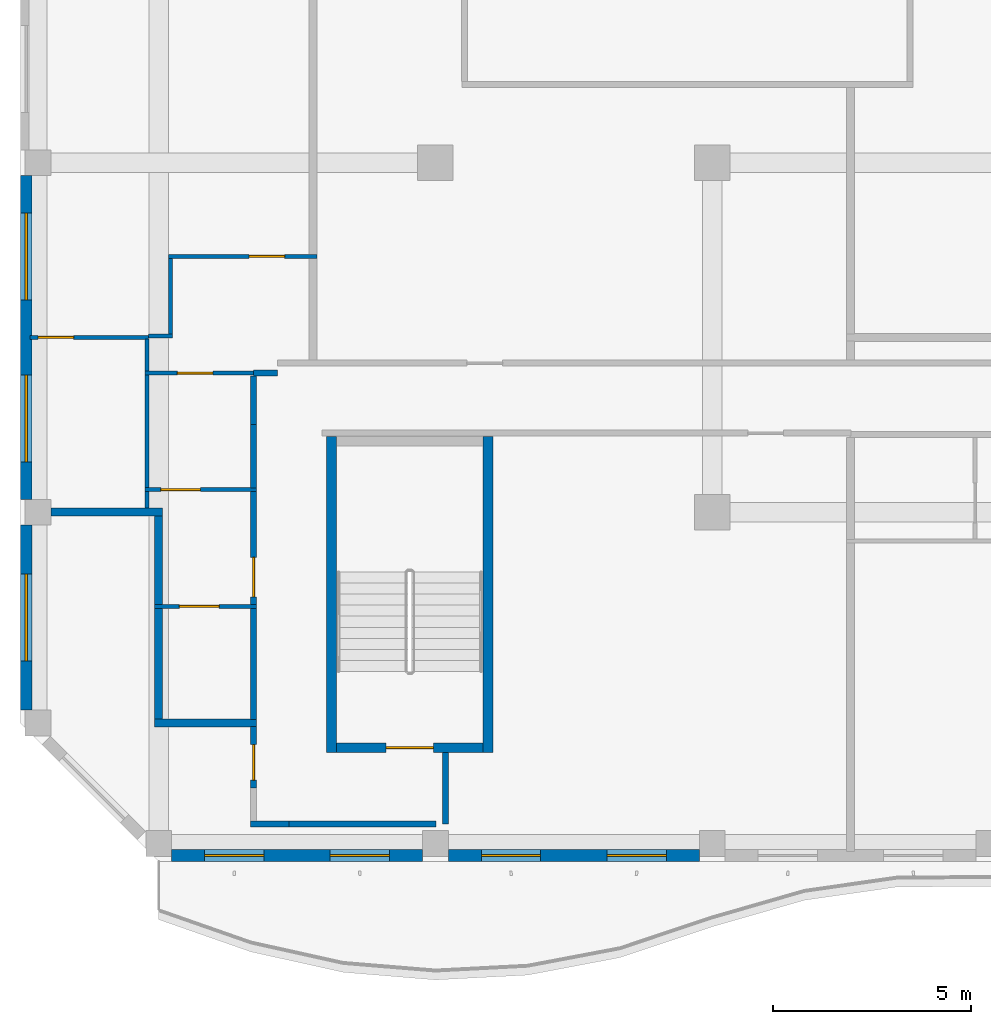
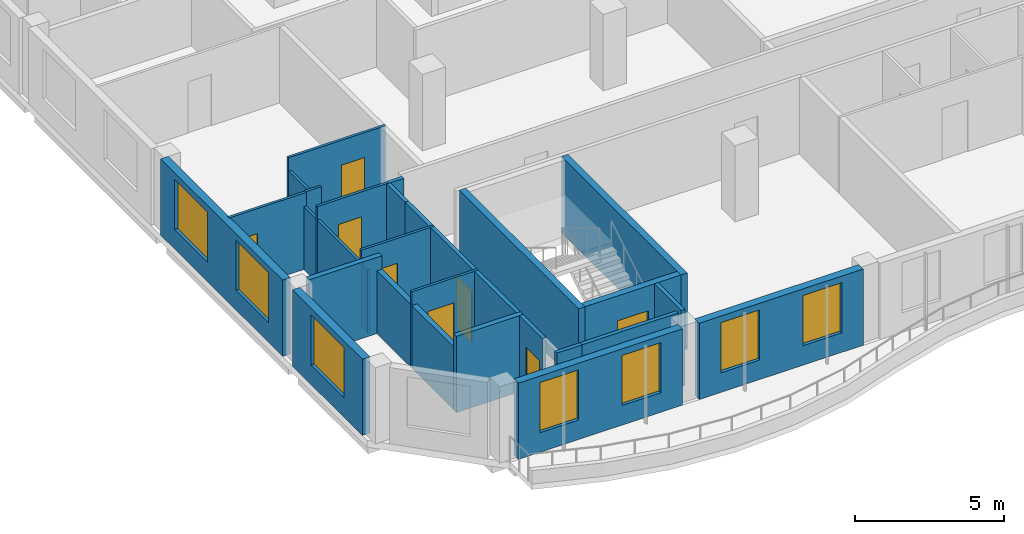
# One storey, part 2 of 18: 30 walls, 8 doors, 7 windows, 15 openings.
"""IFC4 building model written with IfcOpenShell, lengths in metres."""

from ifc_helpers import new_model, si_unit, direction, frame, frame_2d, origin, place, context, subcontext, project, spatial, rectangle, extrude, source, transform, mapped, material, layer, layer_set, type_object, element, fill, save


model = new_model("IFC4")

# Units and contexts
model_context = context("Model", 3, precision=1e-05, world=origin(), true_north=direction((0.0, 1.0)))
body_context = subcontext(model_context, "Body", "Model", "MODEL_VIEW")
ifc_project = project(units=[si_unit("LENGTHUNIT", "METRE"), si_unit("AREAUNIT", "SQUARE_METRE"), si_unit("VOLUMEUNIT", "CUBIC_METRE"), si_unit("PLANEANGLEUNIT", "RADIAN"), si_unit("MASSUNIT", "GRAM", prefix="KILO")], contexts=[model_context])

# Site, building, storey
site_placement = place(None, origin())
site = spatial("IfcSite", under=ifc_project, at=site_placement, CompositionType="ELEMENT")
building_placement = place(site_placement, origin())
building = spatial("IfcBuilding", under=site, at=building_placement, Name="Kilnfold Tower and Market Hall", CompositionType="ELEMENT")
storey_placement = place(building_placement, frame((0.0, 0.0, 270.39990234375)))
storey = spatial("IfcBuildingStorey", under=building, at=storey_placement, Name="L66", CompositionType="ELEMENT", Elevation=270.39990234375)

# Wall
ifc_material_1 = material(Name="Gypsum board on steel studs", Category="steel")
ifc_layer_1 = layer(ifc_material_1, 0.14990234375)
ifc_layer_set_1 = layer_set([ifc_layer_1], Name="Gypsum board on steel studs")
wall_type_1 = type_object("IfcWallType", Name="WALL CORRIDOR 150", PredefinedType="PARTITIONING", material=ifc_layer_set_1)
wall_1_placement = place(storey_placement, frame((-19.60009765625, -14.909912109375, 0.0), z_axis=(0.0, 0.0, 1.0), x_axis=(0.0, 1.0, 0.0)))
element("IfcWall", 1, at=wall_1_placement, inside=storey, type_object=wall_type_1, Name="Partition LY41.1", PredefinedType="PARTITIONING", context=body_context, shape_type="SweptSolid", body=[
    extrude(rectangle(XDim=2.81982421875, YDim=0.14990234375, at=frame_2d((1.409912109375, 0.0))), origin(), (0.0, 0.0, 1.0), 3.1201171875),
])

# Wall, opening, door
wall_2_placement = place(storey_placement, frame((-19.60009765625, -12.010009765625, 0.0), z_axis=(0.0, 0.0, 1.0), x_axis=(0.0, 1.0, 0.0)))
wall_2 = element("IfcWall", 2, at=wall_2_placement, inside=storey, type_object=wall_type_1, Name="Partition LY41.2", PredefinedType="PARTITIONING", context=body_context, shape_type="SweptSolid", body=[
    extrude(rectangle(XDim=2.8701171875, YDim=0.14990234375, at=frame_2d((1.43505859375, 0.0))), origin(), (0.0, 0.0, 1.0), 3.1201171875),
])
opening_1_placement = place(wall_2_placement, frame((0.199951171875, 0.0, 0.0)))
opening_1 = element("IfcOpeningElement", 3, at=opening_1_placement, cuts=wall_2, Name="Opening D1", PredefinedType="OPENING", context=body_context, shape_type="SweptSolid", body=[
    extrude(rectangle(XDim=1.0, YDim=2.10009765625, at=frame_2d((0.5, 1.050048828125))), frame((0.0, 0.0849609375, 0.0), z_axis=(0.0, -1.0, 0.0), x_axis=(1.0, 0.0, 0.0)), (0.0, 0.0, 1.0), 0.169921875),
])
ifc_material_2 = material(Name="Timber veneer door leaf in steel frame", Category="steel")
door_type_1 = type_object("IfcDoorType", Name="DOOR ENTRY 1000 X2100", OperationType="NOTDEFINED", PredefinedType="DOOR", material=ifc_material_2)
door_1_placement = place(opening_1_placement, origin())
door_1 = element("IfcDoor", 4, at=door_1_placement, inside=storey, type_object=door_type_1, Name="Door D1", OperationType="SINGLE_SWING_LEFT", OverallHeight=2.10009765625, OverallWidth=1.0, PredefinedType="DOOR", context=body_context, shape_type="SweptSolid", body=[
    extrude(rectangle(XDim=1.0, YDim=2.10009765625, at=frame_2d((0.5, 1.050048828125))), frame((0.0, 0.02490234375, 0.0), z_axis=(0.0, -1.0, 0.0), x_axis=(1.0, 0.0, 0.0)), (0.0, 0.0, 1.0), 0.050048828125),
])
fill(opening_1, door_1)

# Walls
wall_3_placement = place(storey_placement, frame((-19.60009765625, -9.06005859375, 0.0), z_axis=(0.0, 0.0, 1.0), x_axis=(0.0, 1.0, 0.0)))
element("IfcWall", 5, at=wall_3_placement, inside=storey, type_object=wall_type_1, Name="Partition LY41.3", PredefinedType="PARTITIONING", context=body_context, shape_type="SweptSolid", body=[
    extrude(rectangle(XDim=1.608154296875, YDim=0.14990234375, at=frame_2d((0.80419921875, 0.0))), origin(), (0.0, 0.0, 1.0), 3.1201171875),
])
wall_4_placement = place(storey_placement, frame((-19.60205078125, -7.451904296875, 0.0), z_axis=(0.0, 0.0, 1.0), x_axis=(0.0, 1.0, 0.0)))
element("IfcWall", 6, at=wall_4_placement, inside=storey, type_object=wall_type_1, Name="Partition LY41.4", PredefinedType="PARTITIONING", context=body_context, shape_type="SweptSolid", body=[
    extrude(rectangle(XDim=1.22900390625, YDim=0.14990234375, at=frame_2d((0.614501953125, 0.0))), origin(), (0.0, 0.0, 1.0), 3.1201171875),
])
wall_5_placement = place(storey_placement, frame((-19.0, -6.14794921875, 0.0), z_axis=(0.0, 0.0, 1.0), x_axis=(-1.0, 0.0, 0.0)))
element("IfcWall", 7, at=wall_5_placement, inside=storey, type_object=wall_type_1, Name="Partition LY41.5", PredefinedType="PARTITIONING", context=body_context, shape_type="SweptSolid", body=[
    extrude(rectangle(XDim=0.60205078125, YDim=0.14990234375, at=frame_2d((0.301025390625, 0.0))), origin(), (0.0, 0.0, 1.0), 3.1201171875),
])
wall_6_placement = place(storey_placement, frame((-14.75, -17.550048828125, 0.0), z_axis=(0.0, 0.0, 1.0), x_axis=(0.0, 1.0, 0.0)))
element("IfcWall", 8, at=wall_6_placement, inside=storey, type_object=wall_type_1, Name="Partition LY41.10", PredefinedType="PARTITIONING", context=body_context, shape_type="SweptSolid", body=[
    extrude(rectangle(XDim=1.800048828125, YDim=0.14990234375, at=frame_2d((0.89990234375, 0.0))), origin(), (0.0, 0.0, 1.0), 3.1201171875),
])

# Wall, opening, door
wall_7_placement = place(storey_placement, frame((-19.60009765625, -16.64794921875, 0.0), z_axis=(0.0, 0.0, 1.0), x_axis=(0.0, 1.0, 0.0)))
wall_7 = element("IfcWall", 9, at=wall_7_placement, inside=storey, type_object=wall_type_1, Name="Partition LY41.11", PredefinedType="PARTITIONING", context=body_context, shape_type="SweptSolid", body=[
    extrude(rectangle(XDim=1.557861328125, YDim=0.14990234375, at=frame_2d((0.77880859375, 0.0))), origin(), (0.0, 0.0, 1.0), 3.1201171875),
])
opening_2_placement = place(wall_7_placement, frame((0.199951171875, 0.0, 0.0)))
opening_2 = element("IfcOpeningElement", 10, at=opening_2_placement, cuts=wall_7, Name="Opening D2", PredefinedType="OPENING", context=body_context, shape_type="SweptSolid", body=[
    extrude(rectangle(XDim=0.89990234375, YDim=2.10009765625, at=frame_2d((0.449951171875, 1.050048828125))), frame((0.0, 0.0849609375, 0.0), z_axis=(0.0, -1.0, 0.0), x_axis=(1.0, 0.0, 0.0)), (0.0, 0.0, 1.0), 0.169921875),
])
ifc_material_3 = material(Name="Timber veneer door leaf in steel frame", Category="steel")
door_type_2 = type_object("IfcDoorType", Name="DOOR ROOM 900 X2100", OperationType="NOTDEFINED", PredefinedType="DOOR", material=ifc_material_3)
door_2_placement = place(opening_2_placement, origin())
door_2 = element("IfcDoor", 11, at=door_2_placement, inside=storey, type_object=door_type_2, Name="Door D2", OperationType="SINGLE_SWING_LEFT", OverallHeight=2.10009765625, OverallWidth=0.89990234375, PredefinedType="DOOR", context=body_context, shape_type="SweptSolid", body=[
    extrude(rectangle(XDim=0.89990234375, YDim=2.10009765625, at=frame_2d((0.449951171875, 1.050048828125))), frame((0.0, 0.02490234375, 0.0), z_axis=(0.0, -1.0, 0.0), x_axis=(1.0, 0.0, 0.0)), (0.0, 0.0, 1.0), 0.050048828125),
])
fill(opening_2, door_2)

# Walls
wall_8_placement = place(storey_placement, frame((-18.697998046875, -17.550048828125, 0.0), z_axis=(0.0, 0.0, 1.0), x_axis=(1.0, 0.0, 0.0)))
element("IfcWall", 12, at=wall_8_placement, inside=storey, type_object=wall_type_1, Name="Partition LY41.12", PredefinedType="PARTITIONING", context=body_context, shape_type="SweptSolid", body=[
    extrude(rectangle(XDim=3.7080078125, YDim=0.14990234375, at=frame_2d((1.85400390625, 0.0))), origin(), (0.0, 0.0, 1.0), 3.1201171875),
])
wall_9_placement = place(storey_placement, frame((-19.677001953125, -17.552001953125, 0.0), z_axis=(0.0, 0.0, 1.0), x_axis=(1.0, 0.0, 0.0)))
element("IfcWall", 13, at=wall_9_placement, inside=storey, type_object=wall_type_1, Name="Partition LY41.13", PredefinedType="PARTITIONING", context=body_context, shape_type="SweptSolid", body=[
    extrude(rectangle(XDim=0.97900390625, YDim=0.14990234375, at=frame_2d((0.489501953125, 0.0))), origin(), (0.0, 0.0, 1.0), 3.1201171875),
])

# Wall, opening, door
ifc_material_4 = material(Name="Gypsum board on steel studs", Category="steel")
ifc_layer_2 = layer(ifc_material_4, 0.10009765625)
ifc_layer_set_2 = layer_set([ifc_layer_2], Name="Gypsum board on steel studs")
wall_type_2 = type_object("IfcWallType", Name="WALL PARTITION 100", PredefinedType="PARTITIONING", material=ifc_layer_set_2)
wall_10_placement = place(storey_placement, frame((-19.527099609375, -12.050048828125, 0.0), z_axis=(0.0, 0.0, 1.0), x_axis=(-1.0, 0.0, 0.0)))
wall_10 = element("IfcWall", 14, at=wall_10_placement, inside=storey, type_object=wall_type_2, Name="Partition LY41.37", PredefinedType="PARTITIONING", context=body_context, shape_type="SweptSolid", body=[
    extrude(rectangle(XDim=2.572998046875, YDim=0.10009765625, at=frame_2d((1.28662109375, 0.0))), origin(), (0.0, 0.0, 1.0), 3.1201171875),
])
opening_3_placement = place(wall_10_placement, frame((0.946044921875, 0.0, 0.0)))
opening_3 = element("IfcOpeningElement", 15, at=opening_3_placement, cuts=wall_10, Name="Opening D1", PredefinedType="OPENING", context=body_context, shape_type="SweptSolid", body=[
    extrude(rectangle(XDim=1.0, YDim=2.10009765625, at=frame_2d((0.5, 1.050048828125))), frame((0.0, 0.06005859375, 0.0), z_axis=(0.0, -1.0, 0.0), x_axis=(1.0, 0.0, 0.0)), (0.0, 0.0, 1.0), 0.1201171875),
])
door_3_placement = place(opening_3_placement, origin())
door_3 = element("IfcDoor", 16, at=door_3_placement, inside=storey, type_object=door_type_1, Name="Door D1", OperationType="SINGLE_SWING_LEFT", OverallHeight=2.10009765625, OverallWidth=1.0, PredefinedType="DOOR", context=body_context, shape_type="SweptSolid", body=[
    extrude(rectangle(XDim=1.0, YDim=2.10009765625, at=frame_2d((0.5, 1.050048828125))), frame((0.0, 0.02490234375, 0.0), z_axis=(0.0, -1.0, 0.0), x_axis=(1.0, 0.0, 0.0)), (0.0, 0.0, 1.0), 0.050048828125),
])
fill(opening_3, door_3)

wall_11_placement = place(storey_placement, frame((-19.527099609375, -9.10009765625, 0.0), z_axis=(0.0, 0.0, 1.0), x_axis=(-1.0, 0.0, 0.0)))
wall_11 = element("IfcWall", 17, at=wall_11_placement, inside=storey, type_object=wall_type_2, Name="Partition LY41.40", PredefinedType="PARTITIONING", context=body_context, shape_type="SweptSolid", body=[
    extrude(rectangle(XDim=2.822998046875, YDim=0.10009765625, at=frame_2d((1.41162109375, 0.0))), origin(), (0.0, 0.0, 1.0), 3.1201171875),
])
opening_4_placement = place(wall_11_placement, frame((1.419921875, 0.0, 0.0)))
opening_4 = element("IfcOpeningElement", 18, at=opening_4_placement, cuts=wall_11, Name="Opening D1", PredefinedType="OPENING", context=body_context, shape_type="SweptSolid", body=[
    extrude(rectangle(XDim=1.0, YDim=2.10009765625, at=frame_2d((0.5, 1.050048828125))), frame((0.0, 0.06005859375, 0.0), z_axis=(0.0, -1.0, 0.0), x_axis=(1.0, 0.0, 0.0)), (0.0, 0.0, 1.0), 0.1201171875),
])
door_4_placement = place(opening_4_placement, origin())
door_4 = element("IfcDoor", 19, at=door_4_placement, inside=storey, type_object=door_type_1, Name="Door D1", OperationType="SINGLE_SWING_LEFT", OverallHeight=2.10009765625, OverallWidth=1.0, PredefinedType="DOOR", context=body_context, shape_type="SweptSolid", body=[
    extrude(rectangle(XDim=1.0, YDim=2.10009765625, at=frame_2d((0.5, 1.050048828125))), frame((0.0, 0.02490234375, 0.0), z_axis=(0.0, -1.0, 0.0), x_axis=(1.0, 0.0, 0.0)), (0.0, 0.0, 1.0), 0.050048828125),
])
fill(opening_4, door_4)

# Wall
wall_12_placement = place(storey_placement, frame((-22.300048828125, -9.56689453125, 0.0), z_axis=(0.0, 0.0, 1.0), x_axis=(0.0, 1.0, 0.0)))
element("IfcWall", 20, at=wall_12_placement, inside=storey, type_object=wall_type_2, Name="Partition LY41.41", PredefinedType="PARTITIONING", context=body_context, shape_type="SweptSolid", body=[
    extrude(rectangle(XDim=0.4169921875, YDim=0.10009765625, at=frame_2d((0.20849609375, 0.0))), origin(), (0.0, 0.0, 1.0), 2.570068359375),
])

# Wall, opening, door
wall_13_placement = place(storey_placement, frame((-19.60205078125, -6.14990234375, 0.0), z_axis=(0.0, 0.0, 1.0), x_axis=(-1.0, 0.0, 0.0)))
wall_13 = element("IfcWall", 21, at=wall_13_placement, inside=storey, type_object=wall_type_2, Name="Partition LY41.43", PredefinedType="PARTITIONING", context=body_context, shape_type="SweptSolid", body=[
    extrude(rectangle(XDim=2.748046875, YDim=0.10009765625, at=frame_2d((1.3740234375, 0.0))), origin(), (0.0, 0.0, 1.0), 3.1201171875),
])
opening_5_placement = place(wall_13_placement, frame((1.027099609375, 0.0, 0.0)))
opening_5 = element("IfcOpeningElement", 22, at=opening_5_placement, cuts=wall_13, Name="Opening D2", PredefinedType="OPENING", context=body_context, shape_type="SweptSolid", body=[
    extrude(rectangle(XDim=0.89990234375, YDim=2.10009765625, at=frame_2d((0.449951171875, 1.050048828125))), frame((0.0, 0.06005859375, 0.0), z_axis=(0.0, -1.0, 0.0), x_axis=(1.0, 0.0, 0.0)), (0.0, 0.0, 1.0), 0.1201171875),
])
door_5_placement = place(opening_5_placement, origin())
door_5 = element("IfcDoor", 23, at=door_5_placement, inside=storey, type_object=door_type_2, Name="Door D2", OperationType="SINGLE_SWING_LEFT", OverallHeight=2.10009765625, OverallWidth=0.89990234375, PredefinedType="DOOR", context=body_context, shape_type="SweptSolid", body=[
    extrude(rectangle(XDim=0.89990234375, YDim=2.10009765625, at=frame_2d((0.449951171875, 1.050048828125))), frame((0.0, 0.02490234375, 0.0), z_axis=(0.0, -1.0, 0.0), x_axis=(1.0, 0.0, 0.0)), (0.0, 0.0, 1.0), 0.050048828125),
])
fill(opening_5, door_5)

# Walls
wall_14_placement = place(storey_placement, frame((-22.300048828125, -9.050048828125, 0.0), z_axis=(0.0, 0.0, 1.0), x_axis=(0.0, 1.0, 0.0)))
element("IfcWall", 24, at=wall_14_placement, inside=storey, type_object=wall_type_2, Name="Partition LY41.44", PredefinedType="PARTITIONING", context=body_context, shape_type="SweptSolid", body=[
    extrude(rectangle(XDim=2.85009765625, YDim=0.10009765625, at=frame_2d((1.425048828125, 0.0))), origin(), (0.0, 0.0, 1.0), 2.570068359375),
])
wall_15_placement = place(storey_placement, frame((-22.300048828125, -6.10009765625, 0.0), z_axis=(0.0, 0.0, 1.0), x_axis=(0.0, 1.0, 0.0)))
element("IfcWall", 25, at=wall_15_placement, inside=storey, type_object=wall_type_2, Name="Partition LY41.45", PredefinedType="PARTITIONING", context=body_context, shape_type="SweptSolid", body=[
    extrude(rectangle(XDim=0.81005859375, YDim=0.10009765625, at=frame_2d((0.405029296875, 0.0))), origin(), (0.0, 0.0, 1.0), 2.570068359375),
])
wall_16_placement = place(storey_placement, frame((-21.64990234375, -5.2119140625, 0.0), z_axis=(0.0, 0.0, 1.0), x_axis=(-1.0, 0.0, 0.0)))
element("IfcWall", 26, at=wall_16_placement, inside=storey, type_object=wall_type_2, Name="Partition LY41.46", PredefinedType="PARTITIONING", context=body_context, shape_type="SweptSolid", body=[
    extrude(rectangle(XDim=0.60205078125, YDim=0.10009765625, at=frame_2d((0.301025390625, 0.0))), origin(), (0.0, 0.0, 1.0), 3.1201171875),
])
wall_17_placement = place(storey_placement, frame((-21.699951171875, -5.162109375, 0.0), z_axis=(0.0, 0.0, 1.0), x_axis=(0.0, 1.0, 0.0)))
element("IfcWall", 27, at=wall_17_placement, inside=storey, type_object=wall_type_2, Name="Partition LY41.47", PredefinedType="PARTITIONING", context=body_context, shape_type="SweptSolid", body=[
    extrude(rectangle(XDim=1.912109375, YDim=0.10009765625, at=frame_2d((0.9560546875, 0.0))), origin(), (0.0, 0.0, 1.0), 2.570068359375),
])

# Wall, opening, door
wall_18_placement = place(storey_placement, frame((-18.0, -3.199951171875, 0.0), z_axis=(0.0, 0.0, 1.0), x_axis=(-1.0, 0.0, 0.0)))
wall_18 = element("IfcWall", 28, at=wall_18_placement, inside=storey, type_object=wall_type_2, Name="Partition LY41.48", PredefinedType="PARTITIONING", context=body_context, shape_type="SweptSolid", body=[
    extrude(rectangle(XDim=3.75, YDim=0.10009765625, at=frame_2d((1.875, 0.0))), origin(), (0.0, 0.0, 1.0), 3.1201171875),
])
opening_6_placement = place(wall_18_placement, frame((0.81201171875, 0.0, 0.0)))
opening_6 = element("IfcOpeningElement", 29, at=opening_6_placement, cuts=wall_18, Name="Opening D2", PredefinedType="OPENING", context=body_context, shape_type="SweptSolid", body=[
    extrude(rectangle(XDim=0.89990234375, YDim=2.10009765625, at=frame_2d((0.449951171875, 1.050048828125))), frame((0.0, 0.06005859375, 0.0), z_axis=(0.0, -1.0, 0.0), x_axis=(1.0, 0.0, 0.0)), (0.0, 0.0, 1.0), 0.1201171875),
])
door_6_placement = place(opening_6_placement, origin())
door_6 = element("IfcDoor", 30, at=door_6_placement, inside=storey, type_object=door_type_2, Name="Door D2", OperationType="SINGLE_SWING_LEFT", OverallHeight=2.10009765625, OverallWidth=0.89990234375, PredefinedType="DOOR", context=body_context, shape_type="SweptSolid", body=[
    extrude(rectangle(XDim=0.89990234375, YDim=2.10009765625, at=frame_2d((0.449951171875, 1.050048828125))), frame((0.0, 0.02490234375, 0.0), z_axis=(0.0, -1.0, 0.0), x_axis=(1.0, 0.0, 0.0)), (0.0, 0.0, 1.0), 0.050048828125),
])
fill(opening_6, door_6)

wall_19_placement = place(storey_placement, frame((-22.251953125, -5.25, 0.0), z_axis=(0.0, 0.0, 1.0), x_axis=(-1.0, 0.0, 0.0)))
wall_19 = element("IfcWall", 31, at=wall_19_placement, inside=storey, type_object=wall_type_2, Name="Partition LY41.50", PredefinedType="PARTITIONING", context=body_context, shape_type="SweptSolid", body=[
    extrude(rectangle(XDim=2.998046875, YDim=0.10009765625, at=frame_2d((1.4990234375, 0.0))), origin(), (0.0, 0.0, 1.0), 3.1201171875),
])
opening_7_placement = place(wall_19_placement, frame((1.89794921875, 0.0, 0.0)))
opening_7 = element("IfcOpeningElement", 32, at=opening_7_placement, cuts=wall_19, Name="Opening D2", PredefinedType="OPENING", context=body_context, shape_type="SweptSolid", body=[
    extrude(rectangle(XDim=0.89990234375, YDim=2.10009765625, at=frame_2d((0.449951171875, 1.050048828125))), frame((0.0, 0.06005859375, 0.0), z_axis=(0.0, -1.0, 0.0), x_axis=(1.0, 0.0, 0.0)), (0.0, 0.0, 1.0), 0.1201171875),
])
door_7_placement = place(opening_7_placement, origin())
door_7 = element("IfcDoor", 33, at=door_7_placement, inside=storey, type_object=door_type_2, Name="Door D2", OperationType="SINGLE_SWING_LEFT", OverallHeight=2.10009765625, OverallWidth=0.89990234375, PredefinedType="DOOR", context=body_context, shape_type="SweptSolid", body=[
    extrude(rectangle(XDim=0.89990234375, YDim=2.10009765625, at=frame_2d((0.449951171875, 1.050048828125))), frame((0.0, 0.02490234375, 0.0), z_axis=(0.0, -1.0, 0.0), x_axis=(1.0, 0.0, 0.0)), (0.0, 0.0, 1.0), 0.050048828125),
])
fill(opening_7, door_7)

# Walls
ifc_material_5 = material(Name="Gypsum board on steel studs", Category="steel")
ifc_layer_3 = layer(ifc_material_5, 0.199951171875)
ifc_layer_set_3 = layer_set([ifc_layer_3], Name="Gypsum board on steel studs")
wall_type_3 = type_object("IfcWallType", Name="WALL PARTY 200", PredefinedType="PARTITIONING", material=ifc_layer_set_3)
wall_20_placement = place(storey_placement, frame((-22.0, -14.89990234375, 0.0), z_axis=(0.0, 0.0, 1.0), x_axis=(0.0, 1.0, 0.0)))
element("IfcWall", 34, at=wall_20_placement, inside=storey, type_object=wall_type_3, Name="Partition LY41.38", PredefinedType="PARTITIONING", context=body_context, shape_type="SweptSolid", body=[
    extrude(rectangle(XDim=2.7998046875, YDim=0.199951171875, at=frame_2d((1.39990234375, 0.0))), origin(), (0.0, 0.0, 1.0), 2.570068359375),
])
wall_21_placement = place(storey_placement, frame((-22.10009765625, -15.0, 0.0), z_axis=(0.0, 0.0, 1.0), x_axis=(1.0, 0.0, 0.0)))
element("IfcWall", 35, at=wall_21_placement, inside=storey, type_object=wall_type_3, Name="Partition LY41.39", PredefinedType="PARTITIONING", context=body_context, shape_type="SweptSolid", body=[
    extrude(rectangle(XDim=2.572998046875, YDim=0.199951171875, at=frame_2d((1.28662109375, 0.0))), origin(), (0.0, 0.0, 1.0), 3.1201171875),
])
wall_22_placement = place(storey_placement, frame((-22.0, -12.0, 0.0), z_axis=(0.0, 0.0, 1.0), x_axis=(0.0, 1.0, 0.0)))
element("IfcWall", 36, at=wall_22_placement, inside=storey, type_object=wall_type_3, Name="Partition LY41.42", PredefinedType="PARTITIONING", context=body_context, shape_type="SweptSolid", body=[
    extrude(rectangle(XDim=2.23291015625, YDim=0.199951171875, at=frame_2d((1.116455078125, 0.0))), origin(), (0.0, 0.0, 1.0), 2.570068359375),
])
wall_23_placement = place(storey_placement, frame((-24.72509765625, -9.6669921875, 0.0), z_axis=(0.0, 0.0, 1.0), x_axis=(1.0, 0.0, 0.0)))
element("IfcWall", 37, at=wall_23_placement, inside=storey, type_object=wall_type_3, Name="Partition LY41.51", PredefinedType="PARTITIONING", context=body_context, shape_type="SweptSolid", body=[
    extrude(rectangle(XDim=2.8251953125, YDim=0.199951171875, at=frame_2d((1.41259765625, 0.0))), origin(), (0.0, 0.0, 1.0), 3.1201171875),
])

# Wall, opening, door
ifc_material_6 = material(Name="Concrete C50", Category="concrete")
ifc_layer_4 = layer(ifc_material_6, 0.25)
ifc_layer_set_4 = layer_set([ifc_layer_4], Name="Concrete C50")
wall_type_4 = type_object("IfcWallType", Name="CORE WALL 250 C50", PredefinedType="SHEAR", material=ifc_layer_set_4)
shared_shape_1 = source(origin(), body_context, "Body", "SweptSolid", [
    extrude(rectangle(XDim=3.699951171875, YDim=0.25, at=frame_2d((1.85009765625, 0.0))), origin(), (0.0, 0.0, 1.0), 3.1201171875),
])
wall_24_placement = place(storey_placement, frame((-17.5, -15.625, 0.0), z_axis=(0.0, 0.0, 1.0), x_axis=(1.0, 0.0, 0.0)))
wall_24 = element("IfcWall", 38, at=wall_24_placement, inside=storey, type_object=wall_type_4, Name="Stair enclosure ST3", PredefinedType="SHEAR", context=body_context, shape_type="MappedRepresentation", body=[
    mapped(shared_shape_1, transform((0.0, 0.0, 0.0))),
])
opening_8_placement = place(wall_24_placement, frame((1.25, 0.0, 0.0)))
opening_8 = element("IfcOpeningElement", 39, at=opening_8_placement, cuts=wall_24, Name="Opening SD1", PredefinedType="OPENING", context=body_context, shape_type="SweptSolid", body=[
    extrude(rectangle(XDim=1.199951171875, YDim=2.10009765625, at=frame_2d((0.60009765625, 1.050048828125))), frame((0.0, 0.135009765625, 0.0), z_axis=(0.0, -1.0, 0.0), x_axis=(1.0, 0.0, 0.0)), (0.0, 0.0, 1.0), 0.27001953125),
])
ifc_material_7 = material(Name="Steel door set with fire-resisting leaf", Category="steel")
door_type_3 = type_object("IfcDoorType", Name="STAIR FLOOR DOOR 1200X2100", OperationType="NOTDEFINED", PredefinedType="DOOR", material=ifc_material_7)
door_8_placement = place(opening_8_placement, origin())
door_8 = element("IfcDoor", 40, at=door_8_placement, inside=storey, type_object=door_type_3, Name="Exit stair ST3 door", OperationType="DOUBLE_DOOR_SINGLE_SWING", OverallHeight=2.10009765625, OverallWidth=1.199951171875, PredefinedType="DOOR", context=body_context, shape_type="SweptSolid", body=[
    extrude(rectangle(XDim=1.199951171875, YDim=2.10009765625, at=frame_2d((0.60009765625, 1.050048828125))), frame((0.0, 0.02490234375, 0.0), z_axis=(0.0, -1.0, 0.0), x_axis=(1.0, 0.0, 0.0)), (0.0, 0.0, 1.0), 0.050048828125),
])
fill(opening_8, door_8)

# Walls
shared_shape_2 = source(origin(), body_context, "Body", "SweptSolid", [
    extrude(rectangle(XDim=8.0, YDim=0.25, at=frame_2d((4.0, 0.0))), origin(), (0.0, 0.0, 1.0), 3.1201171875),
])
for number, where, z_axis, x_axis, name in (
    (41, (-17.625, -15.75, 0.0), (0.0, 0.0, 1.0), (0.0, 1.0, 0.0), "Stair enclosure ST3"),
    (42, (-13.675048828125, -15.75, 0.0), (0.0, 0.0, 1.0), (0.0, 1.0, 0.0), "Stair enclosure ST3"),
):
    element("IfcWall", number, at=place(storey_placement, frame(where, z_axis=z_axis, x_axis=x_axis)), inside=storey, type_object=wall_type_4, Name=name, PredefinedType="SHEAR", context=body_context, shape_type="MappedRepresentation", body=[
        mapped(shared_shape_2, transform((0.0, 0.0, 0.0))),
    ])

# Wall, openings, windows
ifc_material_8 = material(Name="Precast concrete C50/60", Category="concrete")
ifc_layer_5 = layer(ifc_material_8, 0.300048828125)
ifc_layer_set_5 = layer_set([ifc_layer_5], Name="Precast concrete C50/60")
wall_type_5 = type_object("IfcWallType", Name="PRECAST WALL 300", PredefinedType="SOLIDWALL", material=ifc_layer_set_5)
shared_shape_3 = source(origin(), body_context, "Body", "SweptSolid", [
    extrude(rectangle(XDim=6.35009765625, YDim=0.300048828125, at=frame_2d((3.175048828125, 0.0))), origin(), (0.0, 0.0, 1.0), 3.1201171875),
])
wall_25_placement = place(storey_placement, frame((-21.675048828125, -18.35009765625, 0.0), z_axis=(0.0, 0.0, 1.0), x_axis=(1.0, 0.0, 0.0)))
wall_25 = element("IfcWall", 43, at=wall_25_placement, inside=storey, type_object=wall_type_5, Name="External wall L66 S", PredefinedType="SOLIDWALL", context=body_context, shape_type="MappedRepresentation", body=[
    mapped(shared_shape_3, transform((0.0, 0.0, 0.0))),
])
opening_9_placement = place(wall_25_placement, frame((0.83740234375, 0.0, 0.800048828125)))
opening_9 = element("IfcOpeningElement", 44, at=opening_9_placement, cuts=wall_25, Name="Opening W5", PredefinedType="OPENING", context=body_context, shape_type="SweptSolid", body=[
    extrude(rectangle(XDim=1.5, YDim=2.050048828125, at=frame_2d((0.75, 1.02490234375))), frame((0.0, 0.16015625, 0.0), z_axis=(0.0, -1.0, 0.0), x_axis=(1.0, 0.0, 0.0)), (0.0, 0.0, 1.0), 0.320068359375),
])
opening_10_placement = place(wall_25_placement, frame((4.012451171875, 0.0, 0.800048828125)))
opening_10 = element("IfcOpeningElement", 45, at=opening_10_placement, cuts=wall_25, Name="Opening W5", PredefinedType="OPENING", context=body_context, shape_type="SweptSolid", body=[
    extrude(rectangle(XDim=1.5, YDim=2.050048828125, at=frame_2d((0.75, 1.02490234375))), frame((0.0, 0.16015625, 0.0), z_axis=(0.0, -1.0, 0.0), x_axis=(1.0, 0.0, 0.0)), (0.0, 0.0, 1.0), 0.320068359375),
])
ifc_material_9 = material(Name="Aluminium frame and double glazing", Category="aluminium")
window_type_1 = type_object("IfcWindowType", Name="WINDOW W5 1500X2050", PartitioningType="SINGLE_PANEL", PredefinedType="WINDOW", material=ifc_material_9)
window_1_placement = place(opening_9_placement, origin())
window_1 = element("IfcWindow", 46, at=window_1_placement, inside=storey, type_object=window_type_1, Name="Window W5 L66 S-1", OverallHeight=2.050048828125, OverallWidth=1.5, PartitioningType="SINGLE_PANEL", PredefinedType="WINDOW", context=body_context, shape_type="SweptSolid", body=[
    extrude(rectangle(XDim=1.5, YDim=2.050048828125, at=frame_2d((0.75, 1.02490234375))), frame((0.0, 0.030029296875, 0.0), z_axis=(0.0, -1.0, 0.0), x_axis=(1.0, 0.0, 0.0)), (0.0, 0.0, 1.0), 0.06005859375),
])
fill(opening_9, window_1)
window_2_placement = place(opening_10_placement, origin())
window_2 = element("IfcWindow", 47, at=window_2_placement, inside=storey, type_object=window_type_1, Name="Window W5 L66 S-2", OverallHeight=2.050048828125, OverallWidth=1.5, PartitioningType="SINGLE_PANEL", PredefinedType="WINDOW", context=body_context, shape_type="SweptSolid", body=[
    extrude(rectangle(XDim=1.5, YDim=2.050048828125, at=frame_2d((0.75, 1.02490234375))), frame((0.0, 0.030029296875, 0.0), z_axis=(0.0, -1.0, 0.0), x_axis=(1.0, 0.0, 0.0)), (0.0, 0.0, 1.0), 0.06005859375),
])
fill(opening_10, window_2)

wall_26_placement = place(storey_placement, frame((-14.675048828125, -18.35009765625, 0.0), z_axis=(0.0, 0.0, 1.0), x_axis=(1.0, 0.0, 0.0)))
wall_26 = element("IfcWall", 48, at=wall_26_placement, inside=storey, type_object=wall_type_5, Name="External wall L66 S", PredefinedType="SOLIDWALL", context=body_context, shape_type="MappedRepresentation", body=[
    mapped(shared_shape_3, transform((0.0, 0.0, 0.0))),
])
opening_11_placement = place(wall_26_placement, frame((0.83740234375, 0.0, 0.800048828125)))
opening_11 = element("IfcOpeningElement", 49, at=opening_11_placement, cuts=wall_26, Name="Opening W5", PredefinedType="OPENING", context=body_context, shape_type="SweptSolid", body=[
    extrude(rectangle(XDim=1.5, YDim=2.050048828125, at=frame_2d((0.75, 1.02490234375))), frame((0.0, 0.16015625, 0.0), z_axis=(0.0, -1.0, 0.0), x_axis=(1.0, 0.0, 0.0)), (0.0, 0.0, 1.0), 0.320068359375),
])
opening_12_placement = place(wall_26_placement, frame((4.012451171875, 0.0, 0.800048828125)))
opening_12 = element("IfcOpeningElement", 50, at=opening_12_placement, cuts=wall_26, Name="Opening W5", PredefinedType="OPENING", context=body_context, shape_type="SweptSolid", body=[
    extrude(rectangle(XDim=1.5, YDim=2.050048828125, at=frame_2d((0.75, 1.02490234375))), frame((0.0, 0.16015625, 0.0), z_axis=(0.0, -1.0, 0.0), x_axis=(1.0, 0.0, 0.0)), (0.0, 0.0, 1.0), 0.320068359375),
])
window_3_placement = place(opening_11_placement, origin())
window_3 = element("IfcWindow", 51, at=window_3_placement, inside=storey, type_object=window_type_1, Name="Window W5 L66 S-1", OverallHeight=2.050048828125, OverallWidth=1.5, PartitioningType="SINGLE_PANEL", PredefinedType="WINDOW", context=body_context, shape_type="SweptSolid", body=[
    extrude(rectangle(XDim=1.5, YDim=2.050048828125, at=frame_2d((0.75, 1.02490234375))), frame((0.0, 0.030029296875, 0.0), z_axis=(0.0, -1.0, 0.0), x_axis=(1.0, 0.0, 0.0)), (0.0, 0.0, 1.0), 0.06005859375),
])
fill(opening_11, window_3)
window_4_placement = place(opening_12_placement, origin())
window_4 = element("IfcWindow", 52, at=window_4_placement, inside=storey, type_object=window_type_1, Name="Window W5 L66 S-2", OverallHeight=2.050048828125, OverallWidth=1.5, PartitioningType="SINGLE_PANEL", PredefinedType="WINDOW", context=body_context, shape_type="SweptSolid", body=[
    extrude(rectangle(XDim=1.5, YDim=2.050048828125, at=frame_2d((0.75, 1.02490234375))), frame((0.0, 0.030029296875, 0.0), z_axis=(0.0, -1.0, 0.0), x_axis=(1.0, 0.0, 0.0)), (0.0, 0.0, 1.0), 0.06005859375),
])
fill(opening_12, window_4)

shared_shape_4 = source(origin(), body_context, "Body", "SweptSolid", [
    extrude(rectangle(XDim=8.18359375, YDim=0.300048828125, at=frame_2d((4.091796875, 0.0))), origin(), (0.0, 0.0, 1.0), 3.1201171875),
])
wall_27_placement = place(storey_placement, frame((-25.35009765625, -1.158203125, 0.0), z_axis=(0.0, 0.0, 1.0), x_axis=(0.0, -1.0, 0.0)))
wall_27 = element("IfcWall", 53, at=wall_27_placement, inside=storey, type_object=wall_type_5, Name="External wall L66 W", PredefinedType="SOLIDWALL", context=body_context, shape_type="MappedRepresentation", body=[
    mapped(shared_shape_4, transform((0.0, 0.0, 0.0))),
])
opening_13_placement = place(wall_27_placement, frame((0.94580078125, 0.0, 0.800048828125)))
opening_13 = element("IfcOpeningElement", 54, at=opening_13_placement, cuts=wall_27, Name="Opening W3", PredefinedType="OPENING", context=body_context, shape_type="SweptSolid", body=[
    extrude(rectangle(XDim=2.199951171875, YDim=2.050048828125, at=frame_2d((1.10009765625, 1.02490234375))), frame((0.0, 0.16015625, 0.0), z_axis=(0.0, -1.0, 0.0), x_axis=(1.0, 0.0, 0.0)), (0.0, 0.0, 1.0), 0.320068359375),
])
opening_14_placement = place(wall_27_placement, frame((5.03759765625, 0.0, 0.800048828125)))
opening_14 = element("IfcOpeningElement", 55, at=opening_14_placement, cuts=wall_27, Name="Opening W3", PredefinedType="OPENING", context=body_context, shape_type="SweptSolid", body=[
    extrude(rectangle(XDim=2.199951171875, YDim=2.050048828125, at=frame_2d((1.10009765625, 1.02490234375))), frame((0.0, 0.16015625, 0.0), z_axis=(0.0, -1.0, 0.0), x_axis=(1.0, 0.0, 0.0)), (0.0, 0.0, 1.0), 0.320068359375),
])
ifc_material_10 = material(Name="Aluminium frame and double glazing", Category="aluminium")
window_type_2 = type_object("IfcWindowType", Name="WINDOW W3 2200X2050", PartitioningType="SINGLE_PANEL", PredefinedType="WINDOW", material=ifc_material_10)
window_5_placement = place(opening_13_placement, origin())
window_5 = element("IfcWindow", 56, at=window_5_placement, inside=storey, type_object=window_type_2, Name="Window W3 L66 W-1", OverallHeight=2.050048828125, OverallWidth=2.199951171875, PartitioningType="SINGLE_PANEL", PredefinedType="WINDOW", context=body_context, shape_type="SweptSolid", body=[
    extrude(rectangle(XDim=2.199951171875, YDim=2.050048828125, at=frame_2d((1.10009765625, 1.02490234375))), frame((0.0, 0.030029296875, 0.0), z_axis=(0.0, -1.0, 0.0), x_axis=(1.0, 0.0, 0.0)), (0.0, 0.0, 1.0), 0.06005859375),
])
fill(opening_13, window_5)
window_6_placement = place(opening_14_placement, origin())
window_6 = element("IfcWindow", 57, at=window_6_placement, inside=storey, type_object=window_type_2, Name="Window W3 L66 W-2", OverallHeight=2.050048828125, OverallWidth=2.199951171875, PartitioningType="SINGLE_PANEL", PredefinedType="WINDOW", context=body_context, shape_type="SweptSolid", body=[
    extrude(rectangle(XDim=2.199951171875, YDim=2.050048828125, at=frame_2d((1.10009765625, 1.02490234375))), frame((0.0, 0.030029296875, 0.0), z_axis=(0.0, -1.0, 0.0), x_axis=(1.0, 0.0, 0.0)), (0.0, 0.0, 1.0), 0.06005859375),
])
fill(opening_14, window_6)

# Wall, opening, window
shared_shape_5 = source(origin(), body_context, "Body", "SweptSolid", [
    extrude(rectangle(XDim=4.683349609375, YDim=0.300048828125, at=frame_2d((2.341796875, 0.0))), origin(), (0.0, 0.0, 1.0), 3.1201171875),
])
wall_28_placement = place(storey_placement, frame((-25.35009765625, -9.99169921875, 0.0), z_axis=(0.0, 0.0, 1.0), x_axis=(0.0, -1.0, 0.0)))
wall_28 = element("IfcWall", 58, at=wall_28_placement, inside=storey, type_object=wall_type_5, Name="External wall L66 W", PredefinedType="SOLIDWALL", context=body_context, shape_type="MappedRepresentation", body=[
    mapped(shared_shape_5, transform((0.0, 0.0, 0.0))),
])
opening_15_placement = place(wall_28_placement, frame((1.24169921875, 0.0, 0.800048828125)))
opening_15 = element("IfcOpeningElement", 59, at=opening_15_placement, cuts=wall_28, Name="Opening W3", PredefinedType="OPENING", context=body_context, shape_type="SweptSolid", body=[
    extrude(rectangle(XDim=2.199951171875, YDim=2.050048828125, at=frame_2d((1.10009765625, 1.02490234375))), frame((0.0, 0.16015625, 0.0), z_axis=(0.0, -1.0, 0.0), x_axis=(1.0, 0.0, 0.0)), (0.0, 0.0, 1.0), 0.320068359375),
])
window_7_placement = place(opening_15_placement, origin())
window_7 = element("IfcWindow", 60, at=window_7_placement, inside=storey, type_object=window_type_2, Name="Window W3 L66 W-1", OverallHeight=2.050048828125, OverallWidth=2.199951171875, PartitioningType="SINGLE_PANEL", PredefinedType="WINDOW", context=body_context, shape_type="SweptSolid", body=[
    extrude(rectangle(XDim=2.199951171875, YDim=2.050048828125, at=frame_2d((1.10009765625, 1.02490234375))), frame((0.0, 0.030029296875, 0.0), z_axis=(0.0, -1.0, 0.0), x_axis=(1.0, 0.0, 0.0)), (0.0, 0.0, 1.0), 0.06005859375),
])
fill(opening_15, window_7)

save(model, "model.ifc")
